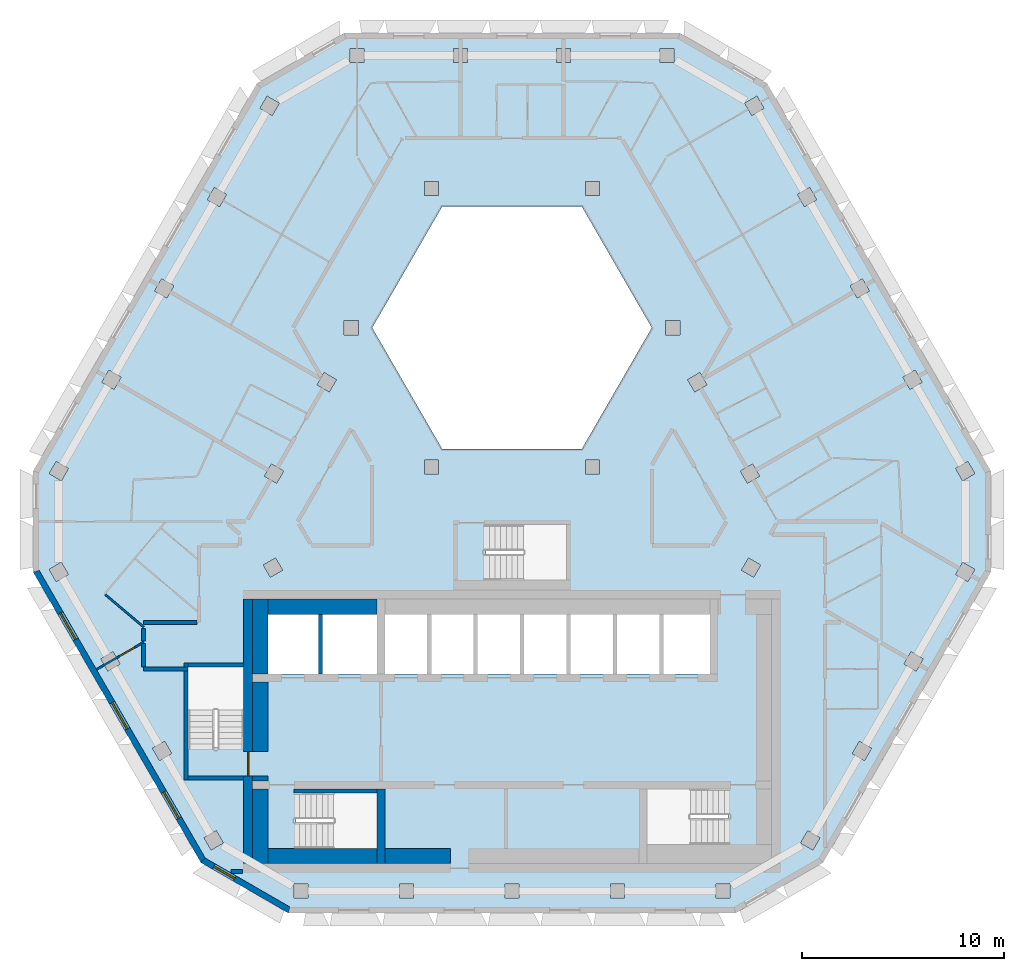
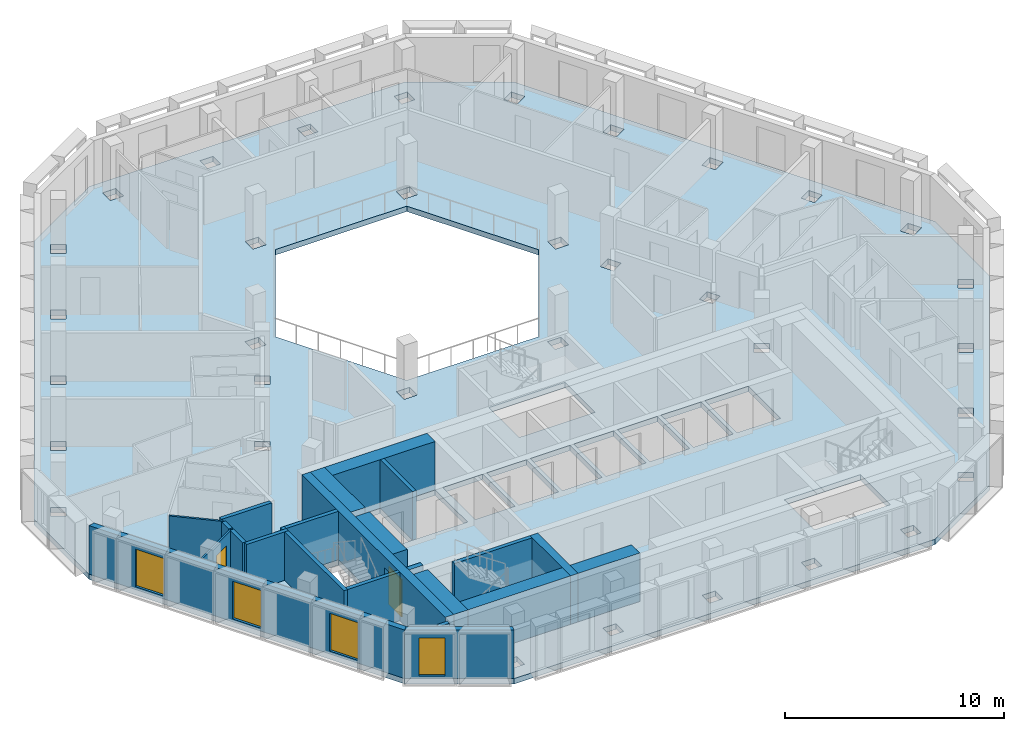
# One storey, part 2 of 15: 23 walls, 4 windows, 2 doors, 1 slab, 6 openings.
"""IFC4 building model written with IfcOpenShell, lengths in metres."""

from ifc_helpers import new_model, si_unit, direction, frame, frame_2d, origin, place, context, subcontext, project, spatial, polyline, rectangle, outline, extrude, material, layer, layer_set, type_object, element, fill, save


model = new_model("IFC4")

# Units and contexts
model_context = context("Model", 3, precision=1e-05, world=origin(), true_north=direction((0.0, 1.0)))
body_context = subcontext(model_context, "Body", "Model", "MODEL_VIEW")
ifc_project = project(units=[si_unit("LENGTHUNIT", "METRE"), si_unit("AREAUNIT", "SQUARE_METRE"), si_unit("VOLUMEUNIT", "CUBIC_METRE"), si_unit("PLANEANGLEUNIT", "RADIAN"), si_unit("MASSUNIT", "GRAM", prefix="KILO")], contexts=[model_context])

# Site, building, storey
site_placement = place(None, origin())
site = spatial("IfcSite", under=ifc_project, at=site_placement, CompositionType="ELEMENT")
building_placement = place(site_placement, origin())
building = spatial("IfcBuilding", under=site, at=building_placement, Name="Beryl Residences", CompositionType="ELEMENT")
storey_placement = place(building_placement, frame((0.0, 0.0, 211.800048828125)))
storey = spatial("IfcBuildingStorey", under=building, at=storey_placement, Name="L65", CompositionType="ELEMENT", Elevation=211.800048828125)

# Slab
ifc_material_1 = material(Name="Concrete C40/50", Category="concrete")
ifc_layer_1 = layer(ifc_material_1, 0.300048828125)
ifc_layer_set_1 = layer_set([ifc_layer_1], Name="SL7 PT floor slab 300 mm C40/50")
slab_type = type_object("IfcSlabType", Name="SL7 PT floor slab 300 mm C40/50", PredefinedType="FLOOR", material=ifc_layer_set_1)
slab_placement = place(storey_placement, frame((0.0, 0.0, -0.300048828125)))
element("IfcSlab", 1, at=slab_placement, inside=storey, type_object=slab_type, Name="L65 slab 1", PredefinedType="FLOOR", context=body_context, shape_type="SweptSolid", body=[
    extrude(outline(polyline([(23.72900390625, -4.10009765625), (15.4150390625, -18.5), (11.0849609375, -21.0), (-11.0849609375, -21.0), (-15.4150390625, -18.5), (-23.72900390625, -4.10009765625), (-23.72900390625, 0.89990234375), (-12.64404296875, 20.10009765625), (-8.31396484375, 22.60009765625), (8.31396484375, 22.60009765625), (12.64404296875, 20.10009765625), (23.72900390625, 0.89990234375), (23.72900390625, -4.10009765625)]), holes=[polyline([(21.97998046875, 1.028076171875), (22.330078125, 0.422119140625), (22.93603515625, 0.77197265625), (22.5859375, 1.3779296875), (21.97998046875, 1.028076171875)]), polyline([(21.97998046875, -4.22900390625), (22.5859375, -4.5791015625), (22.93603515625, -3.972900390625), (22.330078125, -3.623046875), (21.97998046875, -4.22900390625)]), polyline([(19.77099609375, -8.055908203125), (19.4208984375, -8.662109375), (20.027099609375, -9.011962890625), (20.376953125, -8.406005859375), (19.77099609375, -8.055908203125)]), polyline([(19.367919921875, 5.552978515625), (19.718017578125, 4.947021484375), (20.323974609375, 5.297119140625), (19.97412109375, 5.903076171875), (19.367919921875, 5.552978515625)]), polyline([(17.2109375, -12.489013671875), (16.861083984375, -13.094970703125), (17.467041015625, -13.445068359375), (17.81689453125, -12.839111328125), (17.2109375, -12.489013671875)]), polyline([(17.361083984375, 10.427978515625), (16.7548828125, 10.077880859375), (17.10498046875, 9.471923828125), (17.7109375, 9.822021484375), (17.361083984375, 10.427978515625)]), polyline([(15.258056640625, -17.27197265625), (14.652099609375, -16.922119140625), (14.302001953125, -17.528076171875), (14.907958984375, -17.8779296875), (15.258056640625, -17.27197265625)]), polyline([(14.14306640625, 14.60302734375), (14.492919921875, 13.9970703125), (15.09912109375, 14.346923828125), (14.7490234375, 14.952880859375), (14.14306640625, 14.60302734375)]), polyline([(11.531005859375, 19.1279296875), (11.881103515625, 18.52197265625), (12.487060546875, 18.8720703125), (12.136962890625, 19.47802734375), (11.531005859375, 19.1279296875)]), polyline([(11.717041015625, -3.406005859375), (11.366943359375, -4.011962890625), (11.972900390625, -4.362060546875), (12.322998046875, -3.756103515625), (11.717041015625, -3.406005859375)]), polyline([(11.919921875, 1.2529296875), (11.31396484375, 0.903076171875), (11.6640625, 0.297119140625), (12.27001953125, 0.64697265625), (11.919921875, 1.2529296875)]), polyline([(10.800048828125, -19.550048828125), (10.10009765625, -19.550048828125), (10.10009765625, -20.25), (10.800048828125, -20.25), (10.800048828125, -19.550048828125)]), polyline([(6.699951171875, -14.85009765625), (6.699951171875, -17.60009765625), (10.699951171875, -17.60009765625), (10.699951171875, -14.85009765625), (6.699951171875, -14.85009765625)]), polyline([(7.5, -9.14990234375), (9.800048828125, -9.14990234375), (9.800048828125, -6.199951171875), (7.5, -6.199951171875), (7.5, -9.14990234375)]), polyline([(8.700927734375, 5.427978515625), (9.051025390625, 4.822021484375), (9.656982421875, 5.172119140625), (9.306884765625, 5.778076171875), (8.700927734375, 5.427978515625)]), polyline([(8.31689453125, 7.64990234375), (8.31689453125, 8.35009765625), (7.616943359375, 8.35009765625), (7.616943359375, 7.64990234375), (8.31689453125, 7.64990234375)]), polyline([(7.3291015625, 21.85009765625), (7.3291015625, 21.14990234375), (8.029052734375, 21.14990234375), (8.029052734375, 21.85009765625), (7.3291015625, 21.85009765625)]), polyline([(5.199951171875, -9.14990234375), (7.300048828125, -9.14990234375), (7.300048828125, -6.199951171875), (5.199951171875, -6.199951171875), (5.199951171875, -9.14990234375)]), polyline([(3.464111328125, 14.0), (-3.464111328125, 14.0), (-6.92822265625, 8.0), (-3.464111328125, 2.0), (3.464111328125, 2.0), (6.92822265625, 8.0), (3.464111328125, 14.0)]), polyline([(4.875, -19.550048828125), (4.875, -20.25), (5.574951171875, -20.25), (5.574951171875, -19.550048828125), (4.875, -19.550048828125)]), polyline([(2.89990234375, -9.14990234375), (5.0, -9.14990234375), (5.0, -6.199951171875), (2.89990234375, -6.199951171875), (2.89990234375, -9.14990234375)]), polyline([(4.333984375, 15.25), (3.634033203125, 15.25), (3.634033203125, 14.550048828125), (4.333984375, 14.550048828125), (4.333984375, 15.25)]), polyline([(4.333984375, 1.449951171875), (3.634033203125, 1.449951171875), (3.634033203125, 0.75), (4.333984375, 0.75), (4.333984375, 1.449951171875)]), polyline([(2.2099609375, 21.85009765625), (2.2099609375, 21.14990234375), (2.909912109375, 21.14990234375), (2.909912109375, 21.85009765625), (2.2099609375, 21.85009765625)]), polyline([(2.699951171875, -9.14990234375), (2.699951171875, -6.199951171875), (0.60009765625, -6.199951171875), (0.60009765625, -9.14990234375), (2.699951171875, -9.14990234375)]), polyline([(2.699951171875, -4.5), (2.699951171875, -1.75), (-1.300048828125, -1.75), (-1.300048828125, -4.5), (2.699951171875, -4.5)]), polyline([(0.39990234375, -6.199951171875), (-1.699951171875, -6.199951171875), (-1.699951171875, -9.14990234375), (0.39990234375, -9.14990234375), (0.39990234375, -6.199951171875)]), polyline([(0.35009765625, -19.550048828125), (-0.35009765625, -19.550048828125), (-0.35009765625, -20.25), (0.35009765625, -20.25), (0.35009765625, -19.550048828125)]), polyline([(-4.0, -9.14990234375), (-1.89990234375, -9.14990234375), (-1.89990234375, -6.199951171875), (-4.0, -6.199951171875), (-4.0, -9.14990234375)]), polyline([(-2.908935546875, 21.14990234375), (-2.208984375, 21.14990234375), (-2.208984375, 21.85009765625), (-2.908935546875, 21.85009765625), (-2.908935546875, 21.14990234375)]), polyline([(-3.634033203125, 15.25), (-4.333984375, 15.25), (-4.333984375, 14.550048828125), (-3.634033203125, 14.550048828125), (-3.634033203125, 15.25)]), polyline([(-4.333984375, 1.449951171875), (-4.333984375, 0.75), (-3.634033203125, 0.75), (-3.634033203125, 1.449951171875), (-4.333984375, 1.449951171875)]), polyline([(-6.300048828125, -9.14990234375), (-4.199951171875, -9.14990234375), (-4.199951171875, -6.199951171875), (-6.300048828125, -6.199951171875), (-6.300048828125, -9.14990234375)]), polyline([(-4.875, -19.550048828125), (-5.574951171875, -19.550048828125), (-5.574951171875, -20.25), (-4.875, -20.25), (-4.875, -19.550048828125)]), polyline([(-9.39990234375, -6.199951171875), (-9.39990234375, -9.14990234375), (-6.699951171875, -9.14990234375), (-6.699951171875, -6.199951171875), (-9.39990234375, -6.199951171875)]), polyline([(-10.699951171875, -15.050048828125), (-10.699951171875, -17.800048828125), (-6.699951171875, -17.800048828125), (-6.699951171875, -15.050048828125), (-10.699951171875, -15.050048828125)]), polyline([(-8.028076171875, 21.14990234375), (-7.327880859375, 21.14990234375), (-7.327880859375, 21.85009765625), (-8.028076171875, 21.85009765625), (-8.028076171875, 21.14990234375)]), polyline([(-7.616943359375, 7.64990234375), (-7.616943359375, 8.35009765625), (-8.31689453125, 8.35009765625), (-8.31689453125, 7.64990234375), (-7.616943359375, 7.64990234375)]), polyline([(-9.051025390625, 4.822021484375), (-8.700927734375, 5.427978515625), (-9.306884765625, 5.778076171875), (-9.656982421875, 5.172119140625), (-9.051025390625, 4.822021484375)]), polyline([(-12.10009765625, -9.14990234375), (-9.60009765625, -9.14990234375), (-9.60009765625, -6.199951171875), (-12.10009765625, -6.199951171875), (-12.10009765625, -9.14990234375)]), polyline([(-10.800048828125, -19.550048828125), (-10.800048828125, -20.25), (-10.10009765625, -20.25), (-10.10009765625, -19.550048828125), (-10.800048828125, -19.550048828125)]), polyline([(-12.27001953125, 0.64697265625), (-11.6640625, 0.297119140625), (-11.31396484375, 0.903076171875), (-11.919921875, 1.2529296875), (-12.27001953125, 0.64697265625)]), polyline([(-11.972900390625, -4.361083984375), (-11.366943359375, -4.010986328125), (-11.717041015625, -3.405029296875), (-12.322998046875, -3.7548828125), (-11.972900390625, -4.361083984375)]), polyline([(-12.487060546875, 18.8720703125), (-11.881103515625, 18.52197265625), (-11.531005859375, 19.1279296875), (-12.136962890625, 19.47802734375), (-12.487060546875, 18.8720703125)]), polyline([(-13.300048828125, -8.800048828125), (-16.050048828125, -8.800048828125), (-16.050048828125, -12.800048828125), (-13.300048828125, -12.800048828125), (-13.300048828125, -8.800048828125)]), polyline([(-14.14306640625, 14.60302734375), (-14.7490234375, 14.952880859375), (-15.09912109375, 14.346923828125), (-14.492919921875, 13.9970703125), (-14.14306640625, 14.60302734375)]), polyline([(-14.302978515625, -17.527099609375), (-14.653076171875, -16.9208984375), (-15.259033203125, -17.27099609375), (-14.908935546875, -17.876953125), (-14.302978515625, -17.527099609375)]), polyline([(-17.10498046875, 9.471923828125), (-16.7548828125, 10.077880859375), (-17.361083984375, 10.427978515625), (-17.7109375, 9.822021484375), (-17.10498046875, 9.471923828125)]), polyline([(-17.2119140625, -12.488037109375), (-17.818115234375, -12.837890625), (-17.468017578125, -13.444091796875), (-16.862060546875, -13.093994140625), (-17.2119140625, -12.488037109375)]), polyline([(-19.718017578125, 4.947021484375), (-19.367919921875, 5.552978515625), (-19.97412109375, 5.903076171875), (-20.323974609375, 5.297119140625), (-19.718017578125, 4.947021484375)]), polyline([(-19.4208984375, -8.660888671875), (-19.77099609375, -8.054931640625), (-20.376953125, -8.405029296875), (-20.027099609375, -9.010986328125), (-19.4208984375, -8.660888671875)]), polyline([(-22.330078125, 0.422119140625), (-21.97998046875, 1.028076171875), (-22.5859375, 1.3779296875), (-22.93603515625, 0.77197265625), (-22.330078125, 0.422119140625)]), polyline([(-21.98095703125, -4.22802734375), (-22.3310546875, -3.6220703125), (-22.93701171875, -3.971923828125), (-22.5869140625, -4.577880859375), (-21.98095703125, -4.22802734375)])]), origin(), (0.0, 0.0, 1.0), 0.300048828125),
])

# Wall, openings, windows
ifc_material_2 = material(Name="Composite metal panel with mineral wool insulation")
ifc_layer_2 = layer(ifc_material_2, 0.300048828125)
ifc_layer_set_2 = layer_set([ifc_layer_2], Name="ES1 pale metal composite panel wall 300 mm")
wall_type_1 = type_object("IfcWallType", Name="ES1 pale metal composite panel wall 300 mm", PredefinedType="SOLIDWALL", material=ifc_layer_set_2)
wall_1_placement = place(storey_placement, frame((-23.59912109375, -4.02490234375, 0.0), z_axis=(0.0, 0.0, 1.0), x_axis=(0.500012653391, -0.866018098222, 0.0)))
wall_1 = element("IfcWall", 2, at=wall_1_placement, inside=storey, type_object=wall_type_1, Name="ES1 external wall L65 SW", PredefinedType="SOLIDWALL", context=body_context, shape_type="SweptSolid", body=[
    extrude(outline(polyline([(0.0, -0.14990234375), (16.6279296875, -0.14990234375), (16.547607421875, 0.14990234375), (0.080322265625, 0.14990234375), (0.0, -0.14990234375)])), origin(), (0.0, 0.0, 1.0), 2.699951171875),
])
opening_1_placement = place(wall_1_placement, frame((2.444091796875, 0.0, 0.14990234375)))
opening_1 = element("IfcOpeningElement", 3, at=opening_1_placement, cuts=wall_1, Name="Opening W1", PredefinedType="OPENING", context=body_context, shape_type="SweptSolid", body=[
    extrude(rectangle(XDim=1.5, YDim=2.10009765625, at=frame_2d((0.75, 1.050048828125))), frame((0.0, 0.159912109375, 0.0), z_axis=(0.0, -1.0, 0.0), x_axis=(1.0, 0.0, 0.0)), (0.0, 0.0, 1.0), 0.320068359375),
])
opening_2_placement = place(wall_1_placement, frame((7.56396484375, 0.0, 0.14990234375)))
opening_2 = element("IfcOpeningElement", 4, at=opening_2_placement, cuts=wall_1, Name="Opening W1", PredefinedType="OPENING", context=body_context, shape_type="SweptSolid", body=[
    extrude(rectangle(XDim=1.5, YDim=2.10009765625, at=frame_2d((0.75, 1.050048828125))), frame((0.0, 0.159912109375, 0.0), z_axis=(0.0, -1.0, 0.0), x_axis=(1.0, 0.0, 0.0)), (0.0, 0.0, 1.0), 0.320068359375),
])
opening_3_placement = place(wall_1_placement, frame((12.681884765625, 0.0, 0.14990234375)))
opening_3 = element("IfcOpeningElement", 5, at=opening_3_placement, cuts=wall_1, Name="Opening W1", PredefinedType="OPENING", context=body_context, shape_type="SweptSolid", body=[
    extrude(rectangle(XDim=1.5, YDim=2.10009765625, at=frame_2d((0.75, 1.050048828125))), frame((0.0, 0.159912109375, 0.0), z_axis=(0.0, -1.0, 0.0), x_axis=(1.0, 0.0, 0.0)), (0.0, 0.0, 1.0), 0.320068359375),
])
ifc_material_3 = material(Name="Aluminium and clear glass", Category="aluminium")
window_type_1 = type_object("IfcWindowType", Name="W1 cell window 1500 x 2100 mm", PartitioningType="SINGLE_PANEL", PredefinedType="WINDOW", material=ifc_material_3)
window_1_placement = place(opening_1_placement, origin())
window_1 = element("IfcWindow", 6, at=window_1_placement, inside=storey, type_object=window_type_1, Name="W1 window L65 SW 2", OverallHeight=2.10009765625, OverallWidth=1.5, PartitioningType="SINGLE_PANEL", PredefinedType="WINDOW", context=body_context, shape_type="SweptSolid", body=[
    extrude(rectangle(XDim=1.5, YDim=2.10009765625, at=frame_2d((0.75, 1.050048828125))), frame((0.0, 0.030029296875, 0.0), z_axis=(0.0, -1.0, 0.0), x_axis=(1.0, 0.0, 0.0)), (0.0, 0.0, 1.0), 0.06005859375),
])
fill(opening_1, window_1)
window_2_placement = place(opening_2_placement, origin())
window_2 = element("IfcWindow", 7, at=window_2_placement, inside=storey, type_object=window_type_1, Name="W1 window L65 SW 4", OverallHeight=2.10009765625, OverallWidth=1.5, PartitioningType="SINGLE_PANEL", PredefinedType="WINDOW", context=body_context, shape_type="SweptSolid", body=[
    extrude(rectangle(XDim=1.5, YDim=2.10009765625, at=frame_2d((0.75, 1.050048828125))), frame((0.0, 0.030029296875, 0.0), z_axis=(0.0, -1.0, 0.0), x_axis=(1.0, 0.0, 0.0)), (0.0, 0.0, 1.0), 0.06005859375),
])
fill(opening_2, window_2)
window_3_placement = place(opening_3_placement, origin())
window_3 = element("IfcWindow", 8, at=window_3_placement, inside=storey, type_object=window_type_1, Name="W1 window L65 SW 6", OverallHeight=2.10009765625, OverallWidth=1.5, PartitioningType="SINGLE_PANEL", PredefinedType="WINDOW", context=body_context, shape_type="SweptSolid", body=[
    extrude(rectangle(XDim=1.5, YDim=2.10009765625, at=frame_2d((0.75, 1.050048828125))), frame((0.0, 0.030029296875, 0.0), z_axis=(0.0, -1.0, 0.0), x_axis=(1.0, 0.0, 0.0)), (0.0, 0.0, 1.0), 0.06005859375),
])
fill(opening_3, window_3)

# Wall, opening, window
wall_2_placement = place(storey_placement, frame((-15.340087890625, -18.3701171875, 0.0), z_axis=(0.0, 0.0, 1.0), x_axis=(0.866022959057, -0.500004234368, 0.0)))
wall_2 = element("IfcWall", 9, at=wall_2_placement, inside=storey, type_object=wall_type_1, Name="ES1 external wall L65 SW-S", PredefinedType="SOLIDWALL", context=body_context, shape_type="SweptSolid", body=[
    extrude(outline(polyline([(0.0, -0.14990234375), (5.0, -0.14990234375), (4.919677734375, 0.14990234375), (0.080322265625, 0.14990234375), (0.0, -0.14990234375)])), origin(), (0.0, 0.0, 1.0), 2.699951171875),
])
opening_4_placement = place(wall_2_placement, frame((0.64990234375, 0.0, 0.14990234375)))
opening_4 = element("IfcOpeningElement", 10, at=opening_4_placement, cuts=wall_2, Name="Opening W2", PredefinedType="OPENING", context=body_context, shape_type="SweptSolid", body=[
    extrude(rectangle(XDim=1.199951171875, YDim=2.10009765625, at=frame_2d((0.60009765625, 1.050048828125))), frame((0.0, 0.159912109375, 0.0), z_axis=(0.0, -1.0, 0.0), x_axis=(1.0, 0.0, 0.0)), (0.0, 0.0, 1.0), 0.320068359375),
])
ifc_material_4 = material(Name="Aluminium and clear glass", Category="aluminium")
window_type_2 = type_object("IfcWindowType", Name="W2 chamfer window 1200 x 2100 mm", PartitioningType="SINGLE_PANEL", PredefinedType="WINDOW", material=ifc_material_4)
window_4_placement = place(opening_4_placement, origin())
window_4 = element("IfcWindow", 11, at=window_4_placement, inside=storey, type_object=window_type_2, Name="W2 window L65 SW-S 1", OverallHeight=2.10009765625, OverallWidth=1.199951171875, PartitioningType="SINGLE_PANEL", PredefinedType="WINDOW", context=body_context, shape_type="SweptSolid", body=[
    extrude(rectangle(XDim=1.199951171875, YDim=2.10009765625, at=frame_2d((0.60009765625, 1.050048828125))), frame((0.0, 0.030029296875, 0.0), z_axis=(0.0, -1.0, 0.0), x_axis=(1.0, 0.0, 0.0)), (0.0, 0.0, 1.0), 0.06005859375),
])
fill(opening_4, window_4)

# Wall
ifc_material_5 = material(Name="Gypsum board partition on steel studs", Category="steel")
ifc_layer_3 = layer(ifc_material_5, 0.10009765625)
ifc_layer_set_3 = layer_set([ifc_layer_3], Name="PT1 partition 100 mm gypsum board on steel studs")
wall_type_2 = type_object("IfcWallType", Name="PT1 partition 100 mm gypsum board on steel studs", PredefinedType="PARTITIONING", material=ifc_layer_set_3)
wall_3_placement = place(storey_placement, frame((-20.14990234375, -5.222900390625, 0.0), z_axis=(0.0, 0.0, 1.0), x_axis=(0.763471868926, -0.645841083672, 0.0)))
element("IfcWall", 12, at=wall_3_placement, inside=storey, type_object=wall_type_2, Name="Wall PT1 L65 021", PredefinedType="PARTITIONING", context=body_context, shape_type="SweptSolid", body=[
    extrude(rectangle(XDim=2.488525390625, YDim=0.10009765625, at=frame_2d((1.244140625, 0.0))), origin(), (0.0, 0.0, 1.0), 2.699951171875),
])

# Wall, opening, door
wall_4_placement = place(storey_placement, frame((-20.592041015625, -8.93310546875, 0.0), z_axis=(0.0, 0.0, 1.0), x_axis=(0.866045775131, 0.499964714133, 0.0)))
wall_4 = element("IfcWall", 13, at=wall_4_placement, inside=storey, type_object=wall_type_2, Name="Wall PT1 L65 050", PredefinedType="PARTITIONING", context=body_context, shape_type="SweptSolid", body=[
    extrude(rectangle(XDim=2.704345703125, YDim=0.10009765625, at=frame_2d((1.35205078125, 0.0))), origin(), (0.0, 0.0, 1.0), 2.699951171875),
])
opening_5_placement = place(wall_4_placement, frame((1.302001953125, 0.0, 0.0)))
opening_5 = element("IfcOpeningElement", 14, at=opening_5_placement, cuts=wall_4, Name="Opening D2128", PredefinedType="OPENING", context=body_context, shape_type="SweptSolid", body=[
    extrude(rectangle(XDim=0.89990234375, YDim=2.10009765625, at=frame_2d((0.449951171875, 1.050048828125))), frame((0.0, 0.06005859375, 0.0), z_axis=(0.0, -1.0, 0.0), x_axis=(1.0, 0.0, 0.0)), (0.0, 0.0, 1.0), 0.1201171875),
])
ifc_material_6 = material(Name="Timber door leaf", Category="wood")
door_type_1 = type_object("IfcDoorType", Name="D2 room door 900 x 2100 mm", OperationType="SINGLE_SWING_LEFT", PredefinedType="DOOR", material=ifc_material_6)
door_1_placement = place(opening_5_placement, origin())
door_1 = element("IfcDoor", 15, at=door_1_placement, inside=storey, type_object=door_type_1, Name="Door D2128 L65 001", OperationType="SINGLE_SWING_RIGHT", OverallHeight=2.10009765625, OverallWidth=0.89990234375, PredefinedType="DOOR", context=body_context, shape_type="SweptSolid", body=[
    extrude(rectangle(XDim=0.89990234375, YDim=2.10009765625, at=frame_2d((0.449951171875, 1.050048828125))), frame((0.0, 0.02490234375, 0.0), z_axis=(0.0, -1.0, 0.0), x_axis=(1.0, 0.0, 0.0)), (0.0, 0.0, 1.0), 0.050048828125),
])
fill(opening_5, door_1)

# Walls
ifc_material_7 = material(Name="Concrete masonry", Category="masonry")
ifc_layer_4 = layer(ifc_material_7, 0.25)
ifc_layer_set_4 = layer_set([ifc_layer_4], Name="PT13-250 lobby wall 250 mm")
wall_type_3 = type_object("IfcWallType", Name="PT13-250 lobby wall 250 mm", PredefinedType="PARTITIONING", material=ifc_layer_set_4)
wall_5_placement = place(storey_placement, frame((-12.85009765625, -14.324951171875, 0.0), z_axis=(0.0, 0.0, 1.0), x_axis=(1.0, 0.0, 0.0)))
element("IfcWall", 16, at=wall_5_placement, inside=storey, type_object=wall_type_3, Name="Lobby wall 05", PredefinedType="PARTITIONING", context=body_context, shape_type="SweptSolid", body=[
    extrude(rectangle(XDim=0.75, YDim=0.25, at=frame_2d((0.375, 0.0))), origin(), (0.0, 0.0, 1.0), 2.699951171875),
])
ifc_material_8 = material(Name="Concrete masonry", Category="masonry")
ifc_layer_5 = layer(ifc_material_8, 0.75)
ifc_layer_set_5 = layer_set([ifc_layer_5], Name="PT13-750 lobby wall 750 mm")
wall_type_4 = type_object("IfcWallType", Name="PT13-750 lobby wall 750 mm", PredefinedType="PARTITIONING", material=ifc_layer_set_5)
wall_6_placement = place(storey_placement, frame((-12.47509765625, -13.0, 0.0), z_axis=(0.0, 0.0, 1.0), x_axis=(0.0, 1.0, 0.0)))
element("IfcWall", 17, at=wall_6_placement, inside=storey, type_object=wall_type_4, Name="Lobby wall 06", PredefinedType="PARTITIONING", context=body_context, shape_type="SweptSolid", body=[
    extrude(rectangle(XDim=3.449951171875, YDim=0.75, at=frame_2d((1.72509765625, 0.0))), origin(), (0.0, 0.0, 1.0), 2.699951171875),
])
ifc_material_9 = material(Name="Acoustic double stud gypsum board wall")
ifc_layer_6 = layer(ifc_material_9, 0.199951171875)
ifc_layer_set_6 = layer_set([ifc_layer_6], Name="PT3 party wall 200 mm acoustic double stud")
wall_type_5 = type_object("IfcWallType", Name="PT3 party wall 200 mm acoustic double stud", PredefinedType="PARTITIONING", material=ifc_layer_set_6)
wall_7_placement = place(storey_placement, frame((-13.9150390625, -18.949951171875, 0.0), z_axis=(0.0, 0.0, 1.0), x_axis=(1.0, 0.0, 0.0)))
element("IfcWall", 18, at=wall_7_placement, inside=storey, type_object=wall_type_5, Name="Wall PT3 L65 013", PredefinedType="PARTITIONING", context=body_context, shape_type="SweptSolid", body=[
    extrude(rectangle(XDim=0.554931640625, YDim=0.199951171875, at=frame_2d((0.27734375, 0.0))), origin(), (0.0, 0.0, 1.0), 2.699951171875),
])
ifc_material_10 = material(Name="Double stud gypsum board wall")
ifc_layer_7 = layer(ifc_material_10, 0.199951171875)
ifc_layer_set_7 = layer_set([ifc_layer_7], Name="PT4 corridor wall 200 mm double stud")
wall_type_6 = type_object("IfcWallType", Name="PT4 corridor wall 200 mm double stud", PredefinedType="PARTITIONING", material=ifc_layer_set_7)
wall_8_placement = place(storey_placement, frame((-18.25, -7.638916015625, 0.0), z_axis=(0.0, 0.0, 1.0), x_axis=(0.0, -1.0, 0.0)))
element("IfcWall", 19, at=wall_8_placement, inside=storey, type_object=wall_type_6, Name="Wall PT4 L65 008", PredefinedType="PARTITIONING", context=body_context, shape_type="SweptSolid", body=[
    extrude(rectangle(XDim=1.16015625, YDim=0.199951171875, at=frame_2d((0.580078125, 0.0))), origin(), (0.0, 0.0, 1.0), 2.699951171875),
])
wall_9_placement = place(storey_placement, frame((-18.2490234375, -6.60009765625, 0.0), z_axis=(0.0, 0.0, 1.0), x_axis=(1.0, 0.0, 0.0)))
element("IfcWall", 20, at=wall_9_placement, inside=storey, type_object=wall_type_6, Name="Wall PT4 L65 011", PredefinedType="PARTITIONING", context=body_context, shape_type="SweptSolid", body=[
    extrude(rectangle(XDim=2.64794921875, YDim=0.199951171875, at=frame_2d((1.323974609375, 0.0))), origin(), (0.0, 0.0, 1.0), 2.699951171875),
])
wall_10_placement = place(storey_placement, frame((-18.2490234375, -8.89990234375, 0.0), z_axis=(0.0, 0.0, 1.0), x_axis=(1.0, 0.0, 0.0)))
element("IfcWall", 21, at=wall_10_placement, inside=storey, type_object=wall_type_6, Name="Wall PT4 L65 012", PredefinedType="PARTITIONING", context=body_context, shape_type="SweptSolid", body=[
    extrude(rectangle(XDim=2.198974609375, YDim=0.199951171875, at=frame_2d((1.099609375, 0.0))), origin(), (0.0, 0.0, 1.0), 2.699951171875),
])
wall_11_placement = place(storey_placement, frame((-18.25, -7.52294921875, 0.0), z_axis=(0.0, 0.0, 1.0), x_axis=(0.0, 1.0, 0.0)))
element("IfcWall", 22, at=wall_11_placement, inside=storey, type_object=wall_type_6, Name="Wall PT4 L65 031", PredefinedType="PARTITIONING", context=body_context, shape_type="SweptSolid", body=[
    extrude(rectangle(XDim=0.6279296875, YDim=0.199951171875, at=frame_2d((0.31396484375, 0.0))), origin(), (0.0, 0.0, 1.0), 2.699951171875),
])
ifc_material_11 = material(Name="Concrete C40/50", Category="concrete")
ifc_layer_8 = layer(ifc_material_11, 0.199951171875)
ifc_layer_set_8 = layer_set([ifc_layer_8], Name="PT5 stair enclosure wall 200 mm reinforced concrete C40/50")
wall_type_7 = type_object("IfcWallType", Name="PT5 stair enclosure wall 200 mm reinforced concrete C40/50", PredefinedType="SOLIDWALL", material=ifc_layer_set_8)
wall_12_placement = place(storey_placement, frame((-16.14990234375, -14.39990234375, 0.0), z_axis=(0.0, 0.0, 1.0), x_axis=(0.0, 1.0, 0.0)))
element("IfcWall", 23, at=wall_12_placement, inside=storey, type_object=wall_type_7, Name="Stair wall 01", PredefinedType="SOLIDWALL", context=body_context, shape_type="SweptSolid", body=[
    extrude(rectangle(XDim=5.7998046875, YDim=0.199951171875, at=frame_2d((2.89990234375, 0.0))), origin(), (0.0, 0.0, 1.0), 2.699951171875),
])
for number, where, z_axis, x_axis, name in (
    (24, (-16.050048828125, -14.300048828125, 0.0), (0.0, 0.0, 1.0), (1.0, 0.0, 0.0), "Stair wall 02"),
    (25, (-16.050048828125, -8.699951171875, 0.0), (0.0, 0.0, 1.0), (1.0, 0.0, 0.0), "Stair wall 03"),
):
    element("IfcWall", number, at=place(storey_placement, frame(where, z_axis=z_axis, x_axis=x_axis)), inside=storey, type_object=wall_type_7, Name=name, PredefinedType="SOLIDWALL", context=body_context, shape_type="SweptSolid", body=[
        extrude(rectangle(XDim=2.75, YDim=0.199951171875, at=frame_2d((1.375, 0.0))), origin(), (0.0, 0.0, 1.0), 2.699951171875),
    ])
wall_13_placement = place(storey_placement, frame((-10.800048828125, -14.949951171875, 0.0), z_axis=(0.0, 0.0, 1.0), x_axis=(1.0, 0.0, 0.0)))
element("IfcWall", 26, at=wall_13_placement, inside=storey, type_object=wall_type_7, Name="Stair wall 10", PredefinedType="SOLIDWALL", context=body_context, shape_type="SweptSolid", body=[
    extrude(rectangle(XDim=4.10009765625, YDim=0.199951171875, at=frame_2d((2.050048828125, 0.0))), origin(), (0.0, 0.0, 1.0), 2.699951171875),
])
ifc_material_12 = material(Name="Concrete C40/50", Category="concrete")
ifc_layer_9 = layer(ifc_material_12, 0.75)
ifc_layer_set_9 = layer_set([ifc_layer_9], Name="PT5-750 stair enclosure wall 750 mm")
wall_type_8 = type_object("IfcWallType", Name="PT5-750 stair enclosure wall 750 mm", PredefinedType="SOLIDWALL", material=ifc_layer_set_9)
wall_14_placement = place(storey_placement, frame((-12.47509765625, -18.550048828125, 0.0), z_axis=(0.0, 0.0, 1.0), x_axis=(0.0, 1.0, 0.0)))
element("IfcWall", 27, at=wall_14_placement, inside=storey, type_object=wall_type_8, Name="Stair wall 04", PredefinedType="SOLIDWALL", context=body_context, shape_type="SweptSolid", body=[
    extrude(rectangle(XDim=3.699951171875, YDim=0.75, at=frame_2d((1.85009765625, 0.0))), origin(), (0.0, 0.0, 1.0), 2.699951171875),
])
wall_15_placement = place(storey_placement, frame((-12.10009765625, -18.175048828125, 0.0), z_axis=(0.0, 0.0, 1.0), x_axis=(1.0, 0.0, 0.0)))
element("IfcWall", 28, at=wall_15_placement, inside=storey, type_object=wall_type_8, Name="Stair wall 08", PredefinedType="SOLIDWALL", context=body_context, shape_type="SweptSolid", body=[
    extrude(rectangle(XDim=5.400146484375, YDim=0.75, at=frame_2d((2.7001953125, 0.0))), origin(), (0.0, 0.0, 1.0), 2.699951171875),
])
ifc_material_13 = material(Name="Concrete C40/50", Category="concrete")
ifc_layer_10 = layer(ifc_material_13, 0.199951171875)
ifc_layer_set_10 = layer_set([ifc_layer_10], Name="PT6 lift shaft wall 200 mm reinforced concrete C40/50")
wall_type_9 = type_object("IfcWallType", Name="PT6 lift shaft wall 200 mm reinforced concrete C40/50", PredefinedType="SOLIDWALL", material=ifc_layer_set_10)
wall_16_placement = place(storey_placement, frame((-9.5, -9.14990234375, 0.0), z_axis=(0.0, 0.0, 1.0), x_axis=(0.0, 1.0, 0.0)))
element("IfcWall", 29, at=wall_16_placement, inside=storey, type_object=wall_type_9, Name="Lift shaft wall 11", PredefinedType="SOLIDWALL", context=body_context, shape_type="SweptSolid", body=[
    extrude(rectangle(XDim=2.949951171875, YDim=0.199951171875, at=frame_2d((1.47509765625, 0.0))), origin(), (0.0, 0.0, 1.0), 2.699951171875),
])
ifc_material_14 = material(Name="Concrete C40/50", Category="concrete")
ifc_layer_11 = layer(ifc_material_14, 0.75)
ifc_layer_set_11 = layer_set([ifc_layer_11], Name="PT6-750 lift shaft wall 750 mm")
wall_type_10 = type_object("IfcWallType", Name="PT6-750 lift shaft wall 750 mm", PredefinedType="SOLIDWALL", material=ifc_layer_set_11)
wall_17_placement = place(storey_placement, frame((-12.47509765625, -9.14990234375, 0.0), z_axis=(0.0, 0.0, 1.0), x_axis=(0.0, 1.0, 0.0)))
element("IfcWall", 30, at=wall_17_placement, inside=storey, type_object=wall_type_10, Name="Lift shaft wall 07", PredefinedType="SOLIDWALL", context=body_context, shape_type="SweptSolid", body=[
    extrude(rectangle(XDim=3.699951171875, YDim=0.75, at=frame_2d((1.85009765625, 0.0))), origin(), (0.0, 0.0, 1.0), 2.699951171875),
])
wall_18_placement = place(storey_placement, frame((-12.10009765625, -5.824951171875, 0.0), z_axis=(0.0, 0.0, 1.0), x_axis=(1.0, 0.0, 0.0)))
element("IfcWall", 31, at=wall_18_placement, inside=storey, type_object=wall_type_10, Name="Lift shaft wall 09", PredefinedType="SOLIDWALL", context=body_context, shape_type="SweptSolid", body=[
    extrude(rectangle(XDim=5.400146484375, YDim=0.75, at=frame_2d((2.7001953125, 0.0))), origin(), (0.0, 0.0, 1.0), 2.699951171875),
])
ifc_material_15 = material(Name="Concrete masonry", Category="masonry")
ifc_layer_12 = layer(ifc_material_15, 0.75)
ifc_layer_set_12 = layer_set([ifc_layer_12], Name="PT8-750 service room wall 750 mm")
wall_type_11 = type_object("IfcWallType", Name="PT8-750 service room wall 750 mm", PredefinedType="PARTITIONING", material=ifc_layer_set_12)
wall_19_placement = place(storey_placement, frame((-6.300048828125, -18.175048828125, 0.0), z_axis=(0.0, 0.0, 1.0), x_axis=(1.0, 0.0, 0.0)))
element("IfcWall", 32, at=wall_19_placement, inside=storey, type_object=wall_type_11, Name="Core room wall 13", PredefinedType="PARTITIONING", context=body_context, shape_type="SweptSolid", body=[
    extrude(rectangle(XDim=3.25, YDim=0.75, at=frame_2d((1.625, 0.0))), origin(), (0.0, 0.0, 1.0), 2.699951171875),
])
ifc_material_16 = material(Name="Concrete C50/60", Category="concrete")
ifc_layer_13 = layer(ifc_material_16, 0.39990234375)
ifc_layer_set_13 = layer_set([ifc_layer_13], Name="SW10 core internal wall 400 mm C50/60")
wall_type_12 = type_object("IfcWallType", Name="SW10 core internal wall 400 mm C50/60", PredefinedType="SHEAR", material=ifc_layer_set_13)
wall_20_placement = place(storey_placement, frame((-6.5, -18.550048828125, 0.0), z_axis=(0.0, 0.0, 1.0), x_axis=(0.0, 1.0, 0.0)))
element("IfcWall", 33, at=wall_20_placement, inside=storey, type_object=wall_type_12, Name="Core wall XS1 L65", PredefinedType="SHEAR", context=body_context, shape_type="SweptSolid", body=[
    extrude(rectangle(XDim=3.699951171875, YDim=0.39990234375, at=frame_2d((1.85009765625, 0.0))), origin(), (0.0, 0.0, 1.0), 2.699951171875),
])

# Wall, opening, door
ifc_material_17 = material(Name="Concrete C50/60", Category="concrete")
ifc_layer_14 = layer(ifc_material_17, 0.449951171875)
ifc_layer_set_14 = layer_set([ifc_layer_14], Name="SW5 core outer wall 450 mm C50/60")
wall_type_13 = type_object("IfcWallType", Name="SW5 core outer wall 450 mm C50/60", PredefinedType="SHEAR", material=ifc_layer_set_14)
wall_21_placement = place(storey_placement, frame((-13.074951171875, -18.550048828125, 0.0), z_axis=(0.0, 0.0, 1.0), x_axis=(0.0, 1.0, 0.0)))
wall_21 = element("IfcWall", 34, at=wall_21_placement, inside=storey, type_object=wall_type_13, Name="Core wall W L65", PredefinedType="SHEAR", context=body_context, shape_type="SweptSolid", body=[
    extrude(rectangle(XDim=13.10009765625, YDim=0.449951171875, at=frame_2d((6.550048828125, 0.0))), origin(), (0.0, 0.0, 1.0), 2.699951171875),
])
opening_6_placement = place(wall_21_placement, frame((4.35009765625, 0.0, 0.0)))
opening_6 = element("IfcOpeningElement", 35, at=opening_6_placement, cuts=wall_21, Name="Opening SD-2", PredefinedType="OPENING", context=body_context, shape_type="SweptSolid", body=[
    extrude(rectangle(XDim=1.199951171875, YDim=2.10009765625, at=frame_2d((0.60009765625, 1.050048828125))), frame((0.0, 0.23486328125, 0.0), z_axis=(0.0, -1.0, 0.0), x_axis=(1.0, 0.0, 0.0)), (0.0, 0.0, 1.0), 0.469970703125),
])
ifc_material_18 = material(Name="Steel door leaf in steel frame", Category="steel")
door_type_2 = type_object("IfcDoorType", Name="D4 stair door 1200 x 2100 mm", OperationType="SINGLE_SWING_LEFT", PredefinedType="DOOR", material=ifc_material_18)
door_2_placement = place(opening_6_placement, origin())
door_2 = element("IfcDoor", 36, at=door_2_placement, inside=storey, type_object=door_type_2, Name="Door SD-2 L65 001", OperationType="SINGLE_SWING_RIGHT", OverallHeight=2.10009765625, OverallWidth=1.199951171875, PredefinedType="DOOR", context=body_context, shape_type="SweptSolid", body=[
    extrude(rectangle(XDim=1.199951171875, YDim=2.10009765625, at=frame_2d((0.60009765625, 1.050048828125))), frame((0.0, 0.02490234375, 0.0), z_axis=(0.0, -1.0, 0.0), x_axis=(1.0, 0.0, 0.0)), (0.0, 0.0, 1.0), 0.050048828125),
])
fill(opening_6, door_2)

save(model, "model.ifc")
